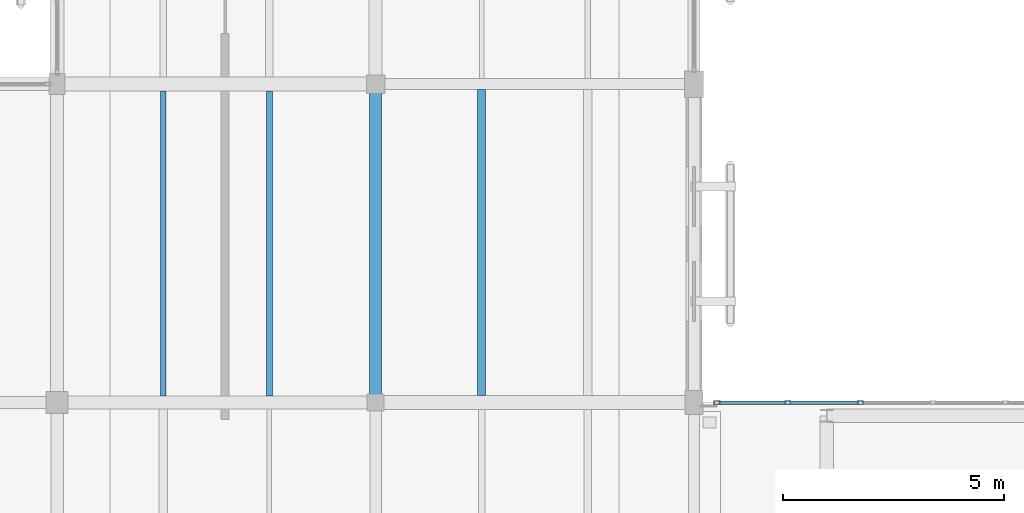
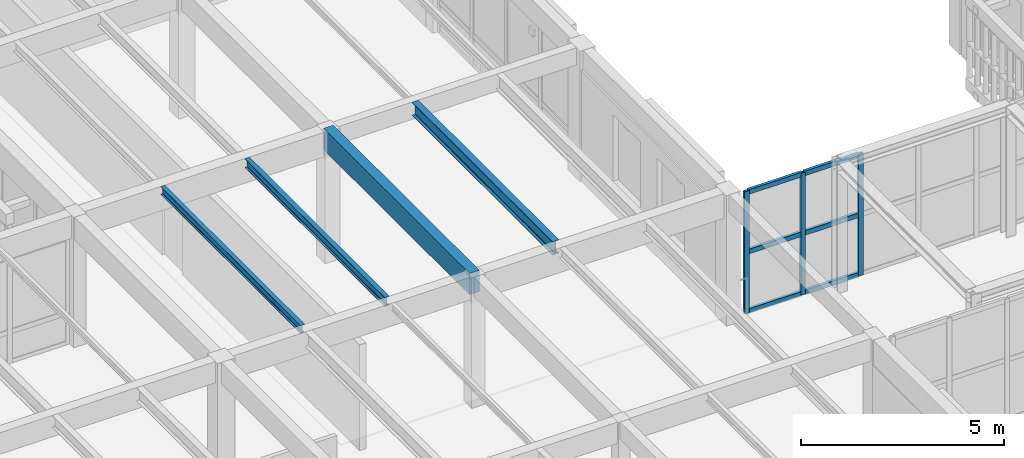
# One storey, part 20 of 112: 9 members, 4 beams, 1 element without a shape of its own.
"""IFC4 building model written with IfcOpenShell, lengths in metres."""

from ifc_helpers import new_model, si_unit, direction, frame, origin, origin_2d, place, context, subcontext, project, spatial, rectangle, hollow_rectangle, i_section, extrude, material, layer, layer_set, material_profile, profile_set, type_object, element, aggregate, save


model = new_model("IFC4")

# Units and contexts
model_context = context("Model", 3, precision=1e-05, world=origin(), true_north=direction((0.0, 1.0)))
body_context = subcontext(model_context, "Body", "Model", "MODEL_VIEW")
ifc_project = project(units=[si_unit("LENGTHUNIT", "METRE"), si_unit("AREAUNIT", "SQUARE_METRE"), si_unit("VOLUMEUNIT", "CUBIC_METRE"), si_unit("PLANEANGLEUNIT", "RADIAN"), si_unit("MASSUNIT", "GRAM", prefix="KILO")], contexts=[model_context])

# Site, building, storey
site_placement = place(None, origin())
site = spatial("IfcSite", under=ifc_project, at=site_placement, CompositionType="ELEMENT")
building_placement = place(site_placement, origin())
building = spatial("IfcBuilding", under=site, at=building_placement, Name="Mazaris Harbour Polytechnic", CompositionType="ELEMENT")
storey_placement = place(building_placement, frame((0.0, 0.0, 13.800048828125)))
storey = spatial("IfcBuildingStorey", under=building, at=storey_placement, Name="L03", CompositionType="ELEMENT", Elevation=13.800048828125)

# Curtain wall, members
ifc_material_1 = material(Name="Anodised Bronze Aluminium and Low-E Glass", Category="aluminium")
ifc_layer = layer(ifc_material_1, 0.139892578125, Name="Anodised Bronze Aluminium and Low-E Glass")
ifc_layer_set = layer_set([ifc_layer], Name="Anodised Bronze Aluminium and Low-E Glass")
curtain_wall_type = type_object("IfcCurtainWallType", Name="Seismic Link Bridge Glazing", PredefinedType="NOTDEFINED", material=ifc_layer_set)
curtain_wall_placement = place(storey_placement, origin())
curtain_wall = element("IfcCurtainWall", 1, at=curtain_wall_placement, inside=storey, type_object=curtain_wall_type, Name="PB-W1 L03 Bridge Glazing", PredefinedType="NOTDEFINED")
ifc_material_2 = material(Name="Anodised Bronze Steel S355", Category="steel")
ifc_material_profile_1 = material_profile(ifc_material_2, hollow_rectangle(XDim=0.080078125, YDim=0.139892578125, WallThickness=0.00634765625, at=origin_2d()), Name="RHS 80x140x6.3")
ifc_profile_set_1 = profile_set([ifc_material_profile_1], Name="Anodised Bronze Steel S355")
member_type_1 = type_object("IfcMemberType", Name="Curtain Mullion RHS80x140", PredefinedType="MULLION", material=ifc_profile_set_1)
member_1_placement = place(storey_placement, frame((46.9599609375, 28.800048828125, 0.0), z_axis=(0.0, 0.0, 1.0), x_axis=(0.0, -1.0, 0.0)))
member_1 = element("IfcMember", 2, at=member_1_placement, type_object=member_type_1, Name="CW-05 mullion 5", PredefinedType="MULLION", context=body_context, shape_type="SweptSolid", body=[
    extrude(hollow_rectangle(XDim=0.080078125, YDim=0.139892578125, WallThickness=0.00634765625, at=origin_2d()), origin(), (0.0, 0.0, 1.0), 3.659912109375),
])
member_2_placement = place(storey_placement, frame((45.320068359375, 28.800048828125, 0.0), z_axis=(0.0, 0.0, 1.0), x_axis=(0.0, -1.0, 0.0)))
member_2 = element("IfcMember", 3, at=member_2_placement, type_object=member_type_1, Name="CW-05 mullion 6", PredefinedType="MULLION", context=body_context, shape_type="SweptSolid", body=[
    extrude(hollow_rectangle(XDim=0.080078125, YDim=0.139892578125, WallThickness=0.00634765625, at=origin_2d()), origin(), (0.0, 0.0, 1.0), 3.659912109375),
])
member_3_placement = place(storey_placement, frame((43.719970703125, 28.800048828125, 0.0), z_axis=(0.0, 0.0, 1.0), x_axis=(0.0, -1.0, 0.0)))
member_3 = element("IfcMember", 4, at=member_3_placement, type_object=member_type_1, Name="CW-05 mullion 7", PredefinedType="MULLION", context=body_context, shape_type="SweptSolid", body=[
    extrude(hollow_rectangle(XDim=0.080078125, YDim=0.139892578125, WallThickness=0.00634765625, at=origin_2d()), origin(), (0.0, 0.0, 1.0), 3.659912109375),
])
ifc_material_3 = material(Name="Anodised Bronze Steel S355", Category="steel")
ifc_material_profile_2 = material_profile(ifc_material_3, hollow_rectangle(XDim=0.080078125, YDim=0.139892578125, WallThickness=0.00634765625, at=origin_2d()), Name="RHS 80x140x6.3")
ifc_profile_set_2 = profile_set([ifc_material_profile_2], Name="Anodised Bronze Steel S355")
member_type_2 = type_object("IfcMemberType", Name="Curtain Transom RHS80x140", PredefinedType="USERDEFINED", material=ifc_profile_set_2)
member_4_placement = place(storey_placement, frame((46.919921875, 28.800048828125, 0.0400390625), z_axis=(-1.0, 0.0, 0.0), x_axis=(0.0, -1.0, 0.0)))
member_4 = element("IfcMember", 5, at=member_4_placement, type_object=member_type_2, Name="CW-05 transom 5.1", ObjectType="TRANSOM", PredefinedType="USERDEFINED", context=body_context, shape_type="SweptSolid", body=[
    extrude(hollow_rectangle(XDim=0.080078125, YDim=0.139892578125, WallThickness=0.00634765625, at=origin_2d()), origin(), (0.0, 0.0, 1.0), 1.559814453125),
])
member_5_placement = place(storey_placement, frame((46.919921875, 28.800048828125, 1.829833984375), z_axis=(-1.0, 0.0, 0.0), x_axis=(0.0, -1.0, 0.0)))
member_5 = element("IfcMember", 6, at=member_5_placement, type_object=member_type_2, Name="CW-05 transom 5.2", ObjectType="TRANSOM", PredefinedType="USERDEFINED", context=body_context, shape_type="SweptSolid", body=[
    extrude(hollow_rectangle(XDim=0.080078125, YDim=0.139892578125, WallThickness=0.00634765625, at=origin_2d()), origin(), (0.0, 0.0, 1.0), 1.559814453125),
])
member_6_placement = place(storey_placement, frame((46.919921875, 28.800048828125, 3.619873046875), z_axis=(-1.0, 0.0, 0.0), x_axis=(0.0, -1.0, 0.0)))
member_6 = element("IfcMember", 7, at=member_6_placement, type_object=member_type_2, Name="CW-05 transom 5.3", ObjectType="TRANSOM", PredefinedType="USERDEFINED", context=body_context, shape_type="SweptSolid", body=[
    extrude(hollow_rectangle(XDim=0.080078125, YDim=0.139892578125, WallThickness=0.00634765625, at=origin_2d()), origin(), (0.0, 0.0, 1.0), 1.559814453125),
])
member_7_placement = place(storey_placement, frame((45.280029296875, 28.800048828125, 0.0400390625), z_axis=(-1.0, 0.0, 0.0), x_axis=(0.0, -1.0, 0.0)))
member_7 = element("IfcMember", 8, at=member_7_placement, type_object=member_type_2, Name="CW-05 transom 6.1", ObjectType="TRANSOM", PredefinedType="USERDEFINED", context=body_context, shape_type="SweptSolid", body=[
    extrude(hollow_rectangle(XDim=0.080078125, YDim=0.139892578125, WallThickness=0.00634765625, at=origin_2d()), origin(), (0.0, 0.0, 1.0), 1.52001953125),
])
member_8_placement = place(storey_placement, frame((45.280029296875, 28.800048828125, 1.829833984375), z_axis=(-1.0, 0.0, 0.0), x_axis=(0.0, -1.0, 0.0)))
member_8 = element("IfcMember", 9, at=member_8_placement, type_object=member_type_2, Name="CW-05 transom 6.2", ObjectType="TRANSOM", PredefinedType="USERDEFINED", context=body_context, shape_type="SweptSolid", body=[
    extrude(hollow_rectangle(XDim=0.080078125, YDim=0.139892578125, WallThickness=0.00634765625, at=origin_2d()), origin(), (0.0, 0.0, 1.0), 1.52001953125),
])
member_9_placement = place(storey_placement, frame((45.280029296875, 28.800048828125, 3.619873046875), z_axis=(-1.0, 0.0, 0.0), x_axis=(0.0, -1.0, 0.0)))
member_9 = element("IfcMember", 10, at=member_9_placement, type_object=member_type_2, Name="CW-05 transom 6.3", ObjectType="TRANSOM", PredefinedType="USERDEFINED", context=body_context, shape_type="SweptSolid", body=[
    extrude(hollow_rectangle(XDim=0.080078125, YDim=0.139892578125, WallThickness=0.00634765625, at=origin_2d()), origin(), (0.0, 0.0, 1.0), 1.52001953125),
])
aggregate(curtain_wall, [member_1, member_2, member_3, member_4, member_5, member_6, member_7, member_8, member_9])

# Beams
ifc_material_4 = material(Name="Glulam GL32h", Category="wood")
ifc_material_profile_3 = material_profile(ifc_material_4, rectangle(XDim=0.280029296875, YDim=0.639892578125, at=origin_2d()), Name="RECT280x640")
ifc_profile_set_3 = profile_set([ifc_material_profile_3], Name="Glulam GL32h")
beam_type_1 = type_object("IfcBeamType", Name="Glulam Girder 280x640", PredefinedType="BEAM", material=ifc_profile_set_3)
beam_1_placement = place(storey_placement, frame((36.0, 28.800048828125, 3.599853515625), z_axis=(0.0, 1.0, 0.0), x_axis=(-1.0, 0.0, 0.0)))
element("IfcBeam", 11, at=beam_1_placement, inside=storey, type_object=beam_type_1, Name="V4 L03 Tie Girder 2262", PredefinedType="BEAM", context=body_context, shape_type="SweptSolid", body=[
    extrude(rectangle(XDim=0.280029296875, YDim=0.639892578125, at=origin_2d()), origin(), (0.0, 0.0, 1.0), 7.199951171875),
])
ifc_material_5 = material(Name="Steel S355", Category="steel")
ifc_material_profile_4 = material_profile(ifc_material_5, i_section(OverallWidth=0.1201171875, OverallDepth=0.239990234375, WebThickness=0.006103515625, FlangeThickness=0.009765625, FilletRadius=0.014892578125, at=origin_2d()), Name="IPE 240")
ifc_profile_set_4 = profile_set([ifc_material_profile_4], Name="Steel S355")
beam_type_2 = type_object("IfcBeamType", Name="Steel Joist IPE240", PredefinedType="JOIST", material=ifc_profile_set_4)
beam_2_placement = place(storey_placement, frame((31.199951171875, 28.949951171875, 3.800048828125), z_axis=(0.0, 1.0, 0.0), x_axis=(-1.0, 0.0, 0.0)))
element("IfcBeam", 12, at=beam_2_placement, inside=storey, type_object=beam_type_2, Name="V4 L03 Floor Joist 2332", PredefinedType="JOIST", context=body_context, shape_type="SweptSolid", body=[
    extrude(i_section(OverallWidth=0.1201171875, OverallDepth=0.239990234375, WebThickness=0.006103515625, FlangeThickness=0.009765625, FilletRadius=0.014892578125, at=origin_2d()), origin(), (0.0, 0.0, 1.0), 6.89013671875),
])
ifc_material_6 = material(Name="Steel S355", Category="steel")
ifc_material_profile_5 = material_profile(ifc_material_6, i_section(OverallWidth=0.135009765625, OverallDepth=0.27001953125, WebThickness=0.006591796875, FlangeThickness=0.01025390625, FilletRadius=0.014892578125, at=origin_2d()), Name="IPE 270")
ifc_profile_set_5 = profile_set([ifc_material_profile_5], Name="Steel S355")
beam_type_3 = type_object("IfcBeamType", Name="Steel Joist IPE270", PredefinedType="JOIST", material=ifc_profile_set_5)
beam_3_placement = place(storey_placement, frame((33.60009765625, 28.949951171875, 3.784912109375), z_axis=(0.0, 1.0, 0.0), x_axis=(-1.0, 0.0, 0.0)))
element("IfcBeam", 13, at=beam_3_placement, inside=storey, type_object=beam_type_3, Name="V4 L03 Floor Joist 2333", PredefinedType="JOIST", context=body_context, shape_type="SweptSolid", body=[
    extrude(i_section(OverallWidth=0.135009765625, OverallDepth=0.27001953125, WebThickness=0.006591796875, FlangeThickness=0.01025390625, FilletRadius=0.014892578125, at=origin_2d()), origin(), (0.0, 0.0, 1.0), 6.89013671875),
])
ifc_material_7 = material(Name="Steel S355", Category="steel")
ifc_material_profile_6 = material_profile(ifc_material_7, i_section(OverallWidth=0.179931640625, OverallDepth=0.39990234375, WebThickness=0.008544921875, FlangeThickness=0.013427734375, FilletRadius=0.02099609375, at=origin_2d()), Name="IPE 400")
ifc_profile_set_6 = profile_set([ifc_material_profile_6], Name="Steel S355")
beam_type_4 = type_object("IfcBeamType", Name="Steel Joist IPE400", PredefinedType="JOIST", material=ifc_profile_set_6)
beam_4_placement = place(storey_placement, frame((38.39990234375, 28.9599609375, 3.719970703125), z_axis=(0.0, 1.0, 0.0), x_axis=(-1.0, 0.0, 0.0)))
element("IfcBeam", 14, at=beam_4_placement, inside=storey, type_object=beam_type_4, Name="V4 L03 Floor Joist 2350", PredefinedType="JOIST", context=body_context, shape_type="SweptSolid", body=[
    extrude(i_section(OverallWidth=0.179931640625, OverallDepth=0.39990234375, WebThickness=0.008544921875, FlangeThickness=0.013427734375, FilletRadius=0.02099609375, at=origin_2d()), origin(), (0.0, 0.0, 1.0), 6.919921875),
])

save(model, "model.ifc")
